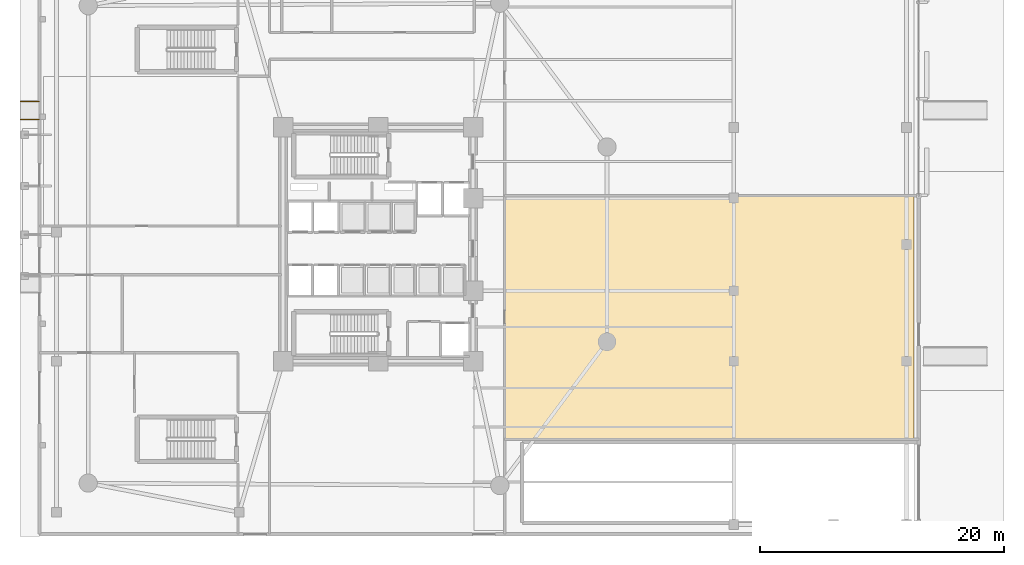
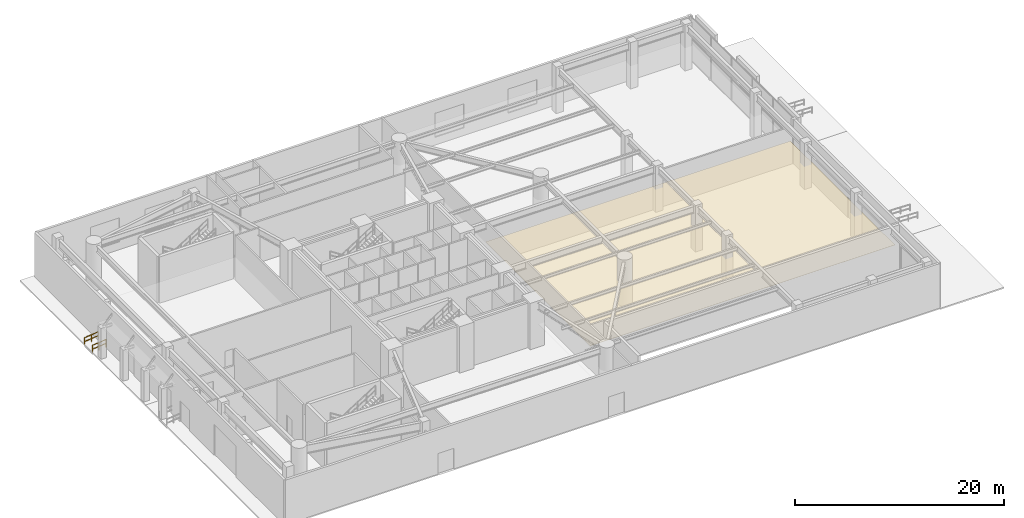
# One storey, part 13 of 16: 2 railings, 1 covering.
"""IFC4 building model written with IfcOpenShell, lengths in metres."""

from ifc_helpers import new_model, si_unit, direction, frame, origin, origin_2d, place, context, subcontext, project, spatial, polyline, circle, outline, extrude, material, layer, layer_set, type_object, element, save


model = new_model("IFC4")

# Units and contexts
model_context = context("Model", 3, precision=1e-05, world=origin(), true_north=direction((0.0, 1.0)))
body_context = subcontext(model_context, "Body", "Model", "MODEL_VIEW")
ifc_project = project(units=[si_unit("LENGTHUNIT", "METRE"), si_unit("AREAUNIT", "SQUARE_METRE"), si_unit("VOLUMEUNIT", "CUBIC_METRE"), si_unit("PLANEANGLEUNIT", "RADIAN"), si_unit("MASSUNIT", "GRAM", prefix="KILO")], contexts=[model_context])

# Site, building, storey
site_placement = place(None, origin())
site = spatial("IfcSite", under=ifc_project, at=site_placement, CompositionType="ELEMENT")
building_placement = place(site_placement, origin())
building = spatial("IfcBuilding", under=site, at=building_placement, Name="An Khanh Terracotta Commons", CompositionType="ELEMENT")
storey_placement = place(building_placement, origin())
storey = spatial("IfcBuildingStorey", under=building, at=storey_placement, Name="L01", CompositionType="ELEMENT", Elevation=0.0)

# Covering
ifc_material_1 = material(Name="Perforated Mineral-Fibre Acoustic Tile")
ifc_layer = layer(ifc_material_1, 0.02001953125, Name="Perforated Mineral-Fibre Acoustic Tile")
ifc_layer_set = layer_set([ifc_layer], Name="Perforated Mineral-Fibre Acoustic Tile")
covering_type = type_object("IfcCoveringType", Name="CEIL-ACOUSTIC-18", PredefinedType="CEILING", material=ifc_layer_set)
covering_placement = place(storey_placement, frame((0.0, 0.0, 2.64990234375)))
element("IfcCovering", 1, at=covering_placement, inside=storey, type_object=covering_type, Name="L01 Public Riverfront Food Hall Ceiling", PredefinedType="CEILING", context=body_context, shape_type="SweptSolid", body=[
    extrude(outline(polyline([(39.800048828125, 21.5), (39.800048828125, 25.5), (39.800048828125, 28.0), (73.39990234375, 28.0), (73.39990234375, 8.0), (39.800048828125, 8.0), (39.800048828125, 21.5)])), origin(), (0.0, 0.0, 1.0), 0.02001953125),
])

# Railings
ifc_material_2 = material(Name="Brushed Stainless Steel 316", Category="steel")
railing_type = type_object("IfcRailingType", Name="RAIL-HANDRAIL-900", PredefinedType="HANDRAIL", material=ifc_material_2)
for number, where, name in (
    (2, (0.050048828125, 34.260009765625, -0.159912109375), "West Main Entrance Step-Free Ramp North Handrail 1"),
    (3, (0.050048828125, 35.739990234375, -0.159912109375), "West Main Entrance Step-Free Ramp North Handrail 2"),
):
    element("IfcRailing", number, at=place(storey_placement, frame(where)), inside=storey, type_object=railing_type, Name=name, PredefinedType="HANDRAIL", context=body_context, shape_type="SweptSolid", body=[
        extrude(circle(Radius=0.02392578125, at=origin_2d()), frame((0.0, 0.0, 0.8759765625), z_axis=(0.994365343752, 0.0, 0.106007373072), x_axis=(0.0, 1.0, 0.0)), (0.0, 0.0, 1.0), 1.508544921875),
        extrude(circle(Radius=0.02392578125, at=origin_2d()), frame((0.0, 0.0, 0.42578125), z_axis=(0.994365343752, 0.0, 0.106007373072), x_axis=(0.0, 1.0, 0.0)), (0.0, 0.0, 1.0), 1.508544921875),
        extrude(circle(Radius=0.02099609375, at=origin_2d()), origin(), (0.0, 0.0, 1.0), 0.851806640625),
        extrude(circle(Radius=0.02099609375, at=origin_2d()), frame((0.75, 0.0, 0.080078125)), (0.0, 0.0, 1.0), 0.851806640625),
        extrude(circle(Radius=0.02099609375, at=origin_2d()), frame((1.5, 0.0, 0.159912109375)), (0.0, 0.0, 1.0), 0.851806640625),
    ])

save(model, "model.ifc")
